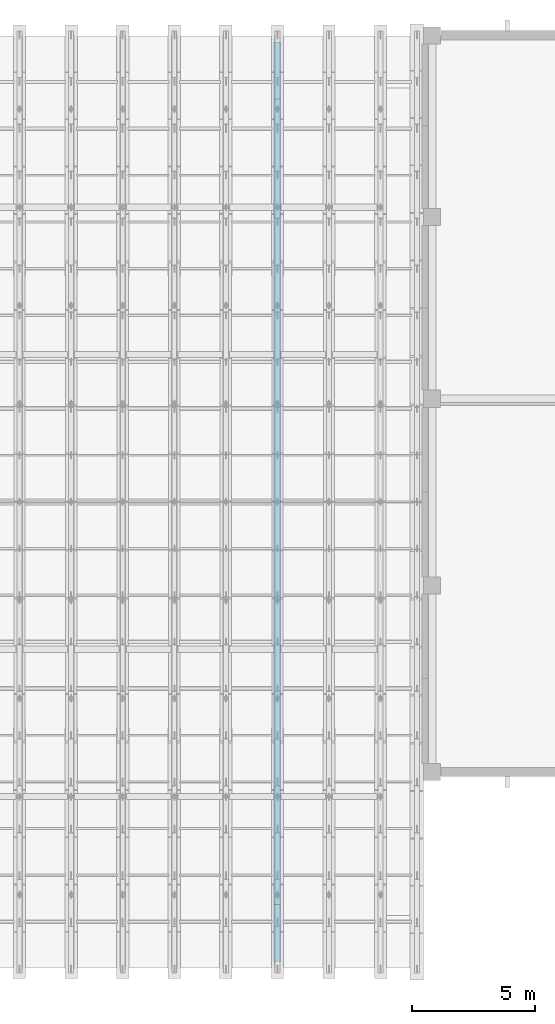
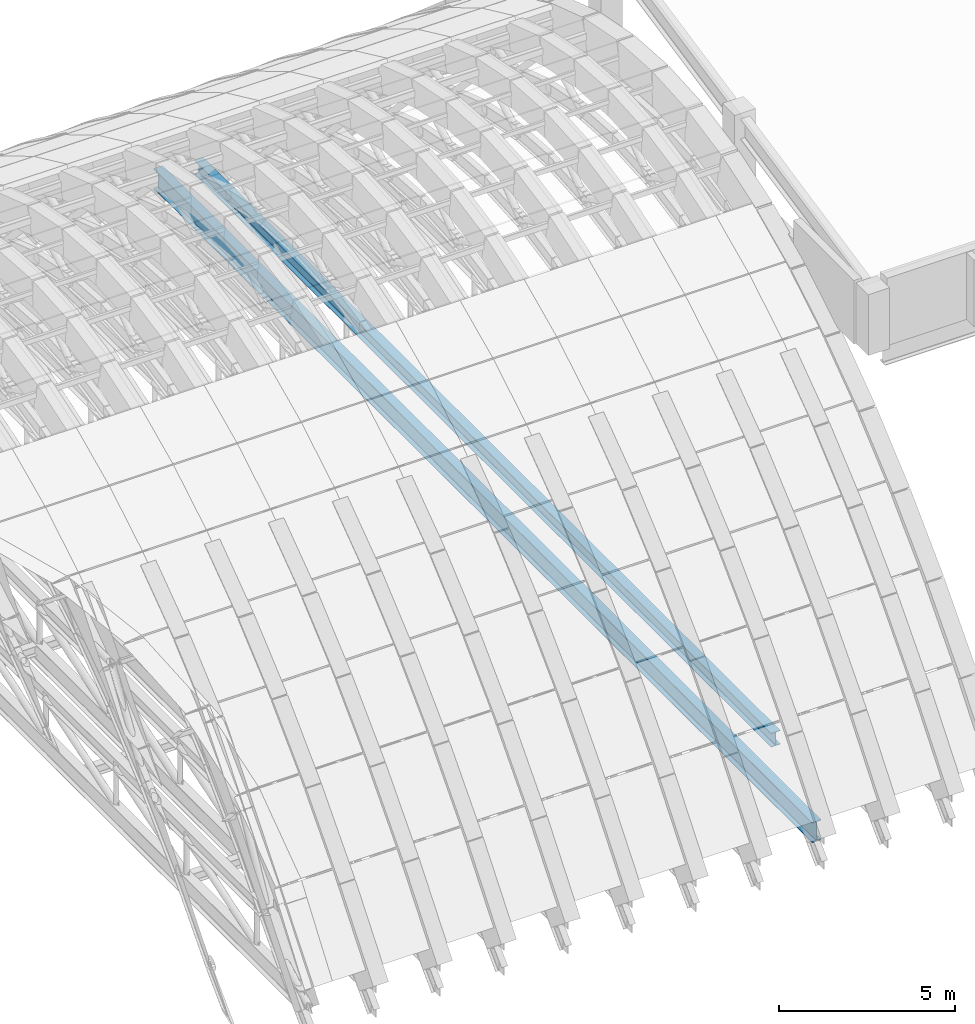
# One storey, part 37 of 67: 2 beams.
"""IFC4 building model written with IfcOpenShell, lengths in metres."""

from ifc_helpers import new_model, si_unit, direction, frame, origin, origin_2d, place, context, subcontext, project, spatial, i_section, extrude, material, material_profile, profile_set, type_object, element, save


model = new_model("IFC4")

# Units and contexts
model_context = context("Model", 3, precision=1e-05, world=origin(), true_north=direction((0.0, 1.0)))
body_context = subcontext(model_context, "Body", "Model", "MODEL_VIEW")
ifc_project = project(units=[si_unit("LENGTHUNIT", "METRE"), si_unit("AREAUNIT", "SQUARE_METRE"), si_unit("VOLUMEUNIT", "CUBIC_METRE"), si_unit("PLANEANGLEUNIT", "RADIAN"), si_unit("MASSUNIT", "GRAM", prefix="KILO")], contexts=[model_context])

# Site, building, storey
site_placement = place(None, origin())
site = spatial("IfcSite", under=ifc_project, at=site_placement, CompositionType="ELEMENT")
building_placement = place(site_placement, origin())
building = spatial("IfcBuilding", under=site, at=building_placement, Name="Shengluoqiao Park Theatre", CompositionType="ELEMENT")
storey_placement = place(building_placement, frame((0.0, 0.0, 28.60009765625)))
storey = spatial("IfcBuildingStorey", under=building, at=storey_placement, Name="Roof", CompositionType="ELEMENT", Elevation=28.60009765625)

# Beams
ifc_material_1 = material(Name="Steel Q355", Category="steel")
ifc_material_profile_1 = material_profile(ifc_material_1, i_section(OverallWidth=0.300048828125, OverallDepth=0.488037109375, WebThickness=0.010986328125, FlangeThickness=0.01806640625, FilletRadius=0.02197265625, at=origin_2d()), Name="HM 488x300x11x18")
ifc_profile_set_1 = profile_set([ifc_material_profile_1], Name="Steel Q355")
beam_type_1 = type_object("IfcBeamType", Name="STR-BM-G-HM488", PredefinedType="BEAM", material=ifc_profile_set_1)
beam_1_placement = place(storey_placement, frame((80.10009765625, 78.60009765625, -8.150146484375), z_axis=(0.0, 1.0, 0.0), x_axis=(-1.0, 0.0, 0.0)))
element("IfcBeam", 1, at=beam_1_placement, inside=storey, type_object=beam_type_1, Name="Barrel-Shell Acoustic Tie Truss Top Chord 18", PredefinedType="BEAM", context=body_context, shape_type="SweptSolid", body=[
    extrude(i_section(OverallWidth=0.300048828125, OverallDepth=0.488037109375, WebThickness=0.010986328125, FlangeThickness=0.01806640625, FilletRadius=0.02197265625, at=origin_2d()), origin(), (0.0, 0.0, 1.0), 32.7998046875),
])
ifc_material_2 = material(Name="Steel Q390", Category="steel")
ifc_material_profile_2 = material_profile(ifc_material_2, i_section(OverallWidth=0.300048828125, OverallDepth=0.699951171875, WebThickness=0.012939453125, FlangeThickness=0.02392578125, FilletRadius=0.02392578125, at=origin_2d()), Name="HN 700x300x13x24")
ifc_profile_set_2 = profile_set([ifc_material_profile_2], Name="Steel Q390")
beam_type_2 = type_object("IfcBeamType", Name="STR-BM-G-HN700", PredefinedType="BEAM", material=ifc_profile_set_2)
beam_2_placement = place(storey_placement, frame((80.10009765625, 76.280029296875, -9.9501953125), z_axis=(0.0, 1.0, 0.0), x_axis=(-1.0, 0.0, 0.0)))
element("IfcBeam", 2, at=beam_2_placement, inside=storey, type_object=beam_type_2, Name="Barrel-Shell Acoustic Tie Truss Bottom Chord 18", PredefinedType="BEAM", context=body_context, shape_type="SweptSolid", body=[
    extrude(i_section(OverallWidth=0.300048828125, OverallDepth=0.699951171875, WebThickness=0.012939453125, FlangeThickness=0.02392578125, FilletRadius=0.02392578125, at=origin_2d()), origin(), (0.0, 0.0, 1.0), 37.43994140625),
])

save(model, "model.ifc")
